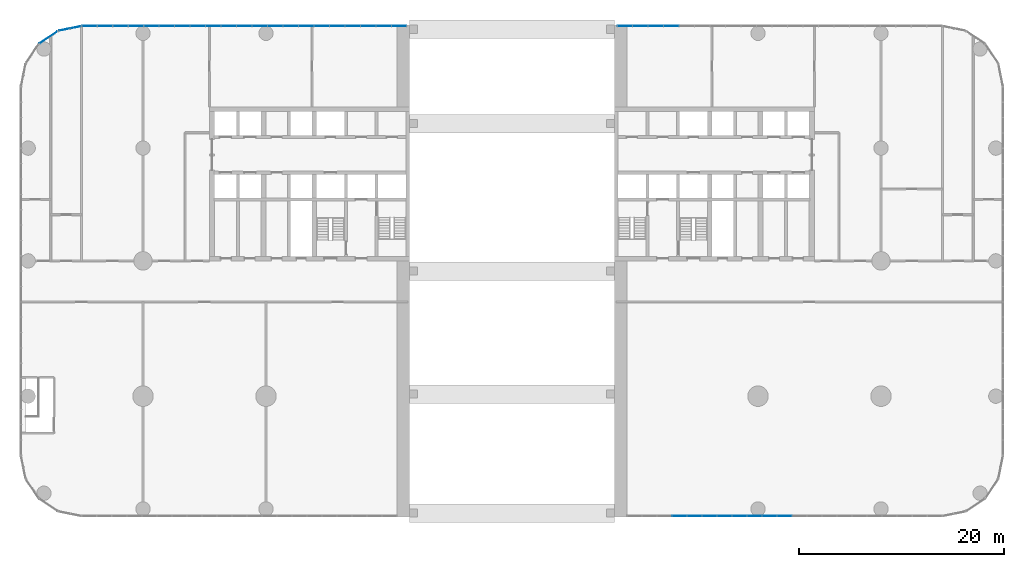
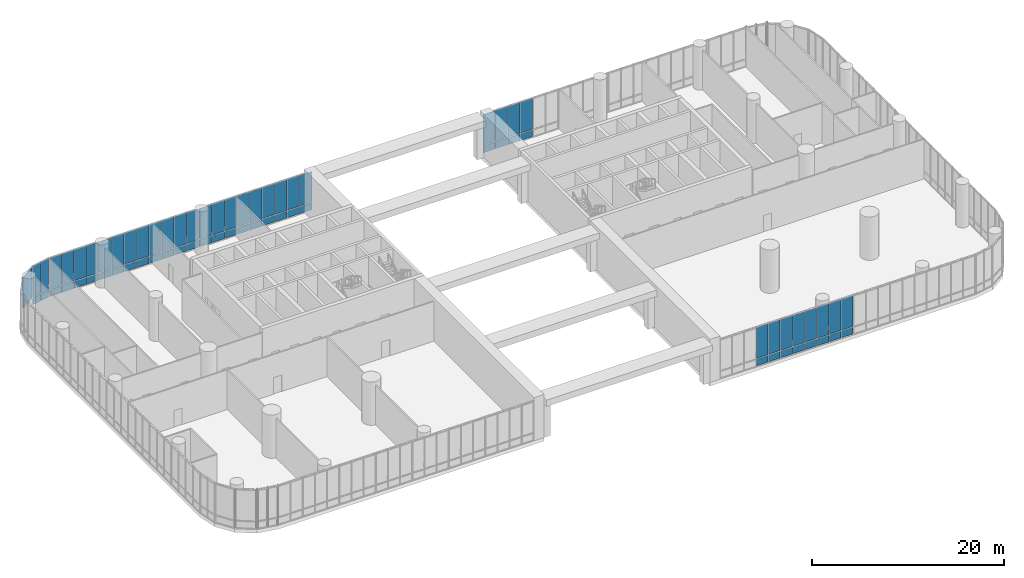
# One storey, part 21 of 30: 71 plates, 5 elements without a shape of their own.
"""IFC4 building model written with IfcOpenShell, lengths in metres."""

import ifcopenshell
import ifcopenshell.guid

model = None  # the IFC model being written
_history = None  # IfcOwnerHistory: only IFC2X3 demands one
_inside = {}  # id of a spatial element -> (the spatial element, [elements in it])
_under = {}  # id of a project, library or spatial element -> (it, [spatial elements below it])
_declared = {}  # id of a project -> (the project, [libraries it declares])
_typed = {}  # id of a type object -> (the type object, [elements of that type])
_made_of = {}  # id of a material, layer set ... -> (it, [elements and type objects made of it])


def new_model(schema):
    """Start an empty IFC model of exactly this schema.

    Asked for "IFC4X3", IfcOpenShell would pick the latest addendum, in which some entities
    have other attributes; the version numbers below select the first issue.
    IFC2X3 requires an IfcOwnerHistory on every rooted entity: one is made here for all.
    """
    global model, _history
    if schema == "IFC4X3":
        model = ifcopenshell.file(schema_version=(4, 3, 0, 0))
    else:
        model = ifcopenshell.file(schema=schema)
    _inside.clear()
    _under.clear()
    _declared.clear()
    _typed.clear()
    _made_of.clear()
    _history = None
    if model.schema == "IFC2X3":
        org = make("IfcOrganization", Name="unknown")
        user = make(
            "IfcPersonAndOrganization",
            ThePerson=make("IfcPerson", FamilyName="unknown"),
            TheOrganization=org,
        )
        app = make(
            "IfcApplication",
            ApplicationDeveloper=org,
            Version="unknown",
            ApplicationFullName="unknown",
            ApplicationIdentifier="unknown",
        )
        _history = make(
            "IfcOwnerHistory",
            OwningUser=user,
            OwningApplication=app,
            ChangeAction="ADDED",
            CreationDate=0,
        )
    return model


def make(cls, **values):
    """One entity of the class cls with the attributes given. An attribute that is None is left unset."""
    return model.create_entity(
        cls, **{name: value for name, value in values.items() if value is not None}
    )


def rooted(cls, **values):
    """An entity with a GlobalId (a new one), such as an element, a storey or a relation."""
    return make(cls, GlobalId=ifcopenshell.guid.new(), OwnerHistory=_history, **values)


def si_unit(unit_type, name, prefix=None):
    """IfcSIUnit, for example si_unit("LENGTHUNIT", "METRE", prefix="MILLI")."""
    return make("IfcSIUnit", UnitType=unit_type, Prefix=prefix, Name=name)


def assignment(units):
    """IfcUnitAssignment: the units of a project."""
    return None if units is None else make("IfcUnitAssignment", Units=units)


def point(xyz):
    """IfcCartesianPoint."""
    return None if xyz is None else make("IfcCartesianPoint", Coordinates=xyz)


def direction(xyz):
    """IfcDirection."""
    return None if xyz is None else make("IfcDirection", DirectionRatios=xyz)


def frame(location, z_axis=None, x_axis=None):
    """IfcAxis2Placement3D, a coordinate frame: its origin and axes. An axis left out is left unset."""
    return make(
        "IfcAxis2Placement3D",
        Location=point(location),
        Axis=direction(z_axis),
        RefDirection=direction(x_axis),
    )


def frame_2d(location, x_axis=None):
    """IfcAxis2Placement2D, a coordinate frame in the plane: its origin and x axis."""
    return make(
        "IfcAxis2Placement2D", Location=point(location), RefDirection=direction(x_axis)
    )


def origin():
    """The frame at (0, 0, 0) with its axes left unset."""
    return frame((0.0, 0.0, 0.0))


def origin_2d():
    """The frame at (0, 0) in the plane with its x axis left unset."""
    return frame_2d((0.0, 0.0))


def place(relative_to, where):
    """IfcLocalPlacement: puts the frame where relative to a parent placement (None: the world)."""
    return make(
        "IfcLocalPlacement", PlacementRelTo=relative_to, RelativePlacement=where
    )


def context(
    kind, dimensions, precision=None, world=None, true_north=None, identifier=None
):
    """IfcGeometricRepresentationContext, for example the 3D "Model" context."""
    return make(
        "IfcGeometricRepresentationContext",
        ContextIdentifier=identifier,
        ContextType=kind,
        CoordinateSpaceDimension=dimensions,
        Precision=precision,
        WorldCoordinateSystem=world,
        TrueNorth=true_north,
    )


def subcontext(parent, identifier, kind, view, scale=None):
    """IfcGeometricRepresentationSubContext, for example "Body" below "Model"."""
    return make(
        "IfcGeometricRepresentationSubContext",
        ContextIdentifier=identifier,
        ContextType=kind,
        ParentContext=parent,
        TargetScale=scale,
        TargetView=view,
    )


def project(units=None, contexts=None):
    """IfcProject with its units and contexts."""
    return rooted(
        "IfcProject",
        Name="project",
        RepresentationContexts=contexts,
        UnitsInContext=assignment(units),
    )


def spatial(cls, under=None, at=None, **own):
    """A site, building, storey or space (cls), placed at a placement, below another one or the project."""
    s = rooted(cls, ObjectPlacement=at, **own)
    if under is not None:
        _under.setdefault(under.id(), (under, []))[1].append(s)
    return s


def profile(cls, at=None, kind="AREA", **sizes):
    """A parametric profile (cls). Its sizes go by their IFC names, for example OverallWidth=200.0."""
    return make(cls, ProfileType=kind, Position=at, **sizes)


def rectangle(**sizes):
    """IfcRectangleProfileDef."""
    return profile("IfcRectangleProfileDef", **sizes)


def extrude(swept, where, along, depth):
    """IfcExtrudedAreaSolid: the profile swept, set in the frame where, extruded along a direction by depth."""
    return make(
        "IfcExtrudedAreaSolid",
        SweptArea=swept,
        Position=where,
        ExtrudedDirection=direction(along),
        Depth=depth,
    )


def shape(context_of_items, identifier, shape_type, items):
    """IfcShapeRepresentation: the items that make up one representation, for example the "Body"."""
    return make(
        "IfcShapeRepresentation",
        ContextOfItems=context_of_items,
        RepresentationIdentifier=identifier,
        RepresentationType=shape_type,
        Items=items,
    )


def material(Name=None, Category=None):
    """IfcMaterial."""
    return make("IfcMaterial", Name=Name, Category=Category)


def layer(
    of_material, thickness, ventilated=None, Name=None, Category=None, Priority=None
):
    """IfcMaterialLayer: one layer of a wall or slab, of a material (None: an air gap)."""
    return make(
        "IfcMaterialLayer",
        Material=of_material,
        LayerThickness=thickness,
        IsVentilated=ventilated,
        Name=Name,
        Category=Category,
        Priority=Priority,
    )


def layer_set(layers, Name=None):
    """IfcMaterialLayerSet."""
    return make("IfcMaterialLayerSet", MaterialLayers=layers, LayerSetName=Name)


def made_of(thing, what):
    """Note that an element or type object is made of a material, layer set ...; save() writes the relation."""
    if what is not None:
        _made_of.setdefault(what.id(), (what, []))[1].append(thing)
    return thing


def type_object(cls, material=None, **own):
    """A type object (cls), such as IfcWallType, which elements share."""
    return made_of(rooted(cls, **own), material)


def element(
    cls,
    number,
    at=None,
    inside=None,
    cuts=None,
    type_object=None,
    material=None,
    context=None,
    identifier="Body",
    shape_type=None,
    held_by="IfcProductDefinitionShape",
    body=None,
    shapes=None,
    **own,
):
    """One element of the class cls, such as IfcWall. Its Tag is "e" and its number.

    at: its placement. inside: the storey or other place that contains it. cuts: it is an
    opening in that element (IfcRelVoidsElement). A single representation is given by context,
    identifier, shape_type and body (its items); several are given by shapes. held_by: the class
    of the entity that holds the representations. save() writes the other relations.
    """
    e = rooted(cls, Tag="e%d" % number, ObjectPlacement=at, **own)
    if body is not None:
        shapes = [shape(context, identifier, shape_type, body)]
    if shapes is not None:
        e.Representation = make(held_by, Representations=shapes)
    if inside is not None:
        _inside.setdefault(inside.id(), (inside, []))[1].append(e)
    if cuts is not None:
        rooted(
            "IfcRelVoidsElement", RelatingBuildingElement=cuts, RelatedOpeningElement=e
        )
    if type_object is not None:
        _typed.setdefault(type_object.id(), (type_object, []))[1].append(e)
    return made_of(e, material)


def aggregate(whole, parts):
    """IfcRelAggregates: a whole, such as a stair, and the parts it consists of."""
    return rooted("IfcRelAggregates", RelatingObject=whole, RelatedObjects=parts)


def save(model, path):
    """Write the relations noted so far, then the file.

    IfcRelAggregates (storeys below a building ...), IfcRelContainedInSpatialStructure (elements
    in a storey), IfcRelDefinesByType, IfcRelAssociatesMaterial and IfcRelDeclares: one each for
    every whole, place, type object, material and project.
    """
    for whole, parts in _under.values():
        aggregate(whole, parts)
    for where, things in _inside.values():
        rooted(
            "IfcRelContainedInSpatialStructure",
            RelatedElements=things,
            RelatingStructure=where,
        )
    for kind, things in _typed.values():
        rooted("IfcRelDefinesByType", RelatedObjects=things, RelatingType=kind)
    for what, things in _made_of.values():
        rooted("IfcRelAssociatesMaterial", RelatedObjects=things, RelatingMaterial=what)
    for by, libraries in _declared.values():
        rooted("IfcRelDeclares", RelatingContext=by, RelatedDefinitions=libraries)
    model.write(path)


model = new_model("IFC4")

# Units and contexts
model_context = context("Model", 3, precision=1e-05, world=origin(), true_north=direction((0.0, 1.0)))
body_context = subcontext(model_context, "Body", "Model", "MODEL_VIEW")
ifc_project = project(units=[si_unit("LENGTHUNIT", "METRE"), si_unit("AREAUNIT", "SQUARE_METRE"), si_unit("VOLUMEUNIT", "CUBIC_METRE"), si_unit("PLANEANGLEUNIT", "RADIAN"), si_unit("MASSUNIT", "GRAM", prefix="KILO")], contexts=[model_context])

# Site, building, storey
site_placement = place(None, origin())
site = spatial("IfcSite", under=ifc_project, at=site_placement, CompositionType="ELEMENT")
building_placement = place(site_placement, origin())
building = spatial("IfcBuilding", under=site, at=building_placement, Name="Torana Hotel and Residences", CompositionType="ELEMENT")
storey_placement = place(building_placement, frame((0.0, 0.0, 12.5)))
storey = spatial("IfcBuildingStorey", under=building, at=storey_placement, Name="L02", CompositionType="ELEMENT", Elevation=12.5)

# Curtain wall, plates
ifc_material_1 = material(Name="Dark anodised aluminium", Category="aluminium")
ifc_layer_1 = layer(ifc_material_1, 0.14990234375)
ifc_layer_set_1 = layer_set([ifc_layer_1], Name="CW5 PODIUM UPPER UNITISED CURTAIN WALL")
curtain_wall_type = type_object("IfcCurtainWallType", Name="CW5 PODIUM UPPER UNITISED CURTAIN WALL", PredefinedType="NOTDEFINED", material=ifc_layer_set_1)
curtain_wall_1_placement = place(storey_placement, origin())
curtain_wall_1 = element("IfcCurtainWall", 1, at=curtain_wall_1_placement, inside=storey, type_object=curtain_wall_type, Name="Curtain wall CW5 L02 e0.2", PredefinedType="NOTDEFINED")
ifc_material_2 = material(Name="Glass clear low-iron laminated double glazed unit", Category="glass")
ifc_layer_2 = layer(ifc_material_2, 0.035888671875)
ifc_layer_set_2 = layer_set([ifc_layer_2], Name="CW5 DARK GLASS PANEL 36")
plate_type = type_object("IfcPlateType", Name="CW5 DARK GLASS PANEL 36", PredefinedType="CURTAIN_PANEL", material=ifc_layer_set_2)
plate_1_placement = place(storey_placement, frame((-11.020263671875, 7.89990234375, 0.099853515625), z_axis=(0.0, 0.0, 1.0), x_axis=(-1.0, 0.0, 0.0)))
plate_1 = element("IfcPlate", 2, at=plate_1_placement, type_object=plate_type, Name="CW5 panel 1.1", PredefinedType="CURTAIN_PANEL", context=body_context, shape_type="SweptSolid", body=[
    extrude(rectangle(XDim=1.420654296875, YDim=0.035888671875, at=origin_2d()), origin(), (0.0, 0.0, 1.0), 0.85009765625),
])
plate_2_placement = place(storey_placement, frame((-11.020263671875, 7.89990234375, 1.050048828125), z_axis=(0.0, 0.0, 1.0), x_axis=(-1.0, 0.0, 0.0)))
plate_2 = element("IfcPlate", 3, at=plate_2_placement, type_object=plate_type, Name="CW5 panel 1.2", PredefinedType="CURTAIN_PANEL", context=body_context, shape_type="SweptSolid", body=[
    extrude(rectangle(XDim=1.420654296875, YDim=0.035888671875, at=origin_2d()), origin(), (0.0, 0.0, 1.0), 3.89990234375),
])
plate_3_placement = place(storey_placement, frame((-12.51611328125, 7.89990234375, 0.099853515625), z_axis=(0.0, 0.0, 1.0), x_axis=(-1.0, 0.0, 0.0)))
plate_3 = element("IfcPlate", 4, at=plate_3_placement, type_object=plate_type, Name="CW5 panel 2.1", PredefinedType="CURTAIN_PANEL", context=body_context, shape_type="SweptSolid", body=[
    extrude(rectangle(XDim=1.45068359375, YDim=0.035888671875, at=origin_2d()), origin(), (0.0, 0.0, 1.0), 0.85009765625),
])
plate_4_placement = place(storey_placement, frame((-12.51611328125, 7.89990234375, 1.050048828125), z_axis=(0.0, 0.0, 1.0), x_axis=(-1.0, 0.0, 0.0)))
plate_4 = element("IfcPlate", 5, at=plate_4_placement, type_object=plate_type, Name="CW5 panel 2.2", PredefinedType="CURTAIN_PANEL", context=body_context, shape_type="SweptSolid", body=[
    extrude(rectangle(XDim=1.45068359375, YDim=0.035888671875, at=origin_2d()), origin(), (0.0, 0.0, 1.0), 3.89990234375),
])
plate_5_placement = place(storey_placement, frame((-14.02685546875, 7.89990234375, 0.099853515625), z_axis=(0.0, 0.0, 1.0), x_axis=(-1.0, 0.0, 0.0)))
plate_5 = element("IfcPlate", 6, at=plate_5_placement, type_object=plate_type, Name="CW5 panel 3.1", PredefinedType="CURTAIN_PANEL", context=body_context, shape_type="SweptSolid", body=[
    extrude(rectangle(XDim=1.45068359375, YDim=0.035888671875, at=origin_2d()), origin(), (0.0, 0.0, 1.0), 0.85009765625),
])
plate_6_placement = place(storey_placement, frame((-14.02685546875, 7.89990234375, 1.050048828125), z_axis=(0.0, 0.0, 1.0), x_axis=(-1.0, 0.0, 0.0)))
plate_6 = element("IfcPlate", 7, at=plate_6_placement, type_object=plate_type, Name="CW5 panel 3.2", PredefinedType="CURTAIN_PANEL", context=body_context, shape_type="SweptSolid", body=[
    extrude(rectangle(XDim=1.45068359375, YDim=0.035888671875, at=origin_2d()), origin(), (0.0, 0.0, 1.0), 3.89990234375),
])
plate_7_placement = place(storey_placement, frame((-15.53759765625, 7.89990234375, 0.099853515625), z_axis=(0.0, 0.0, 1.0), x_axis=(-1.0, 0.0, 0.0)))
plate_7 = element("IfcPlate", 8, at=plate_7_placement, type_object=plate_type, Name="CW5 panel 4.1", PredefinedType="CURTAIN_PANEL", context=body_context, shape_type="SweptSolid", body=[
    extrude(rectangle(XDim=1.45068359375, YDim=0.035888671875, at=origin_2d()), origin(), (0.0, 0.0, 1.0), 0.85009765625),
])
plate_8_placement = place(storey_placement, frame((-15.53759765625, 7.89990234375, 1.050048828125), z_axis=(0.0, 0.0, 1.0), x_axis=(-1.0, 0.0, 0.0)))
plate_8 = element("IfcPlate", 9, at=plate_8_placement, type_object=plate_type, Name="CW5 panel 4.2", PredefinedType="CURTAIN_PANEL", context=body_context, shape_type="SweptSolid", body=[
    extrude(rectangle(XDim=1.45068359375, YDim=0.035888671875, at=origin_2d()), origin(), (0.0, 0.0, 1.0), 3.89990234375),
])
plate_9_placement = place(storey_placement, frame((-17.04833984375, 7.89990234375, 0.099853515625), z_axis=(0.0, 0.0, 1.0), x_axis=(-1.0, 0.0, 0.0)))
plate_9 = element("IfcPlate", 10, at=plate_9_placement, type_object=plate_type, Name="CW5 panel 5.1", PredefinedType="CURTAIN_PANEL", context=body_context, shape_type="SweptSolid", body=[
    extrude(rectangle(XDim=1.45068359375, YDim=0.035888671875, at=origin_2d()), origin(), (0.0, 0.0, 1.0), 0.85009765625),
])
plate_10_placement = place(storey_placement, frame((-17.04833984375, 7.89990234375, 1.050048828125), z_axis=(0.0, 0.0, 1.0), x_axis=(-1.0, 0.0, 0.0)))
plate_10 = element("IfcPlate", 11, at=plate_10_placement, type_object=plate_type, Name="CW5 panel 5.2", PredefinedType="CURTAIN_PANEL", context=body_context, shape_type="SweptSolid", body=[
    extrude(rectangle(XDim=1.45068359375, YDim=0.035888671875, at=origin_2d()), origin(), (0.0, 0.0, 1.0), 3.89990234375),
])
plate_11_placement = place(storey_placement, frame((-18.55908203125, 7.89990234375, 0.099853515625), z_axis=(0.0, 0.0, 1.0), x_axis=(-1.0, 0.0, 0.0)))
plate_11 = element("IfcPlate", 12, at=plate_11_placement, type_object=plate_type, Name="CW5 panel 6.1", PredefinedType="CURTAIN_PANEL", context=body_context, shape_type="SweptSolid", body=[
    extrude(rectangle(XDim=1.45068359375, YDim=0.035888671875, at=origin_2d()), origin(), (0.0, 0.0, 1.0), 0.85009765625),
])
plate_12_placement = place(storey_placement, frame((-18.55908203125, 7.89990234375, 1.050048828125), z_axis=(0.0, 0.0, 1.0), x_axis=(-1.0, 0.0, 0.0)))
plate_12 = element("IfcPlate", 13, at=plate_12_placement, type_object=plate_type, Name="CW5 panel 6.2", PredefinedType="CURTAIN_PANEL", context=body_context, shape_type="SweptSolid", body=[
    extrude(rectangle(XDim=1.45068359375, YDim=0.035888671875, at=origin_2d()), origin(), (0.0, 0.0, 1.0), 3.89990234375),
])
plate_13_placement = place(storey_placement, frame((-20.06982421875, 7.89990234375, 0.099853515625), z_axis=(0.0, 0.0, 1.0), x_axis=(-1.0, 0.0, 0.0)))
plate_13 = element("IfcPlate", 14, at=plate_13_placement, type_object=plate_type, Name="CW5 panel 7.1", PredefinedType="CURTAIN_PANEL", context=body_context, shape_type="SweptSolid", body=[
    extrude(rectangle(XDim=1.45068359375, YDim=0.035888671875, at=origin_2d()), origin(), (0.0, 0.0, 1.0), 0.85009765625),
])
plate_14_placement = place(storey_placement, frame((-20.06982421875, 7.89990234375, 1.050048828125), z_axis=(0.0, 0.0, 1.0), x_axis=(-1.0, 0.0, 0.0)))
plate_14 = element("IfcPlate", 15, at=plate_14_placement, type_object=plate_type, Name="CW5 panel 7.2", PredefinedType="CURTAIN_PANEL", context=body_context, shape_type="SweptSolid", body=[
    extrude(rectangle(XDim=1.45068359375, YDim=0.035888671875, at=origin_2d()), origin(), (0.0, 0.0, 1.0), 3.89990234375),
])
plate_15_placement = place(storey_placement, frame((-21.58056640625, 7.89990234375, 0.099853515625), z_axis=(0.0, 0.0, 1.0), x_axis=(-1.0, 0.0, 0.0)))
plate_15 = element("IfcPlate", 16, at=plate_15_placement, type_object=plate_type, Name="CW5 panel 8.1", PredefinedType="CURTAIN_PANEL", context=body_context, shape_type="SweptSolid", body=[
    extrude(rectangle(XDim=1.45068359375, YDim=0.035888671875, at=origin_2d()), origin(), (0.0, 0.0, 1.0), 0.85009765625),
])
plate_16_placement = place(storey_placement, frame((-21.58056640625, 7.89990234375, 1.050048828125), z_axis=(0.0, 0.0, 1.0), x_axis=(-1.0, 0.0, 0.0)))
plate_16 = element("IfcPlate", 17, at=plate_16_placement, type_object=plate_type, Name="CW5 panel 8.2", PredefinedType="CURTAIN_PANEL", context=body_context, shape_type="SweptSolid", body=[
    extrude(rectangle(XDim=1.45068359375, YDim=0.035888671875, at=origin_2d()), origin(), (0.0, 0.0, 1.0), 3.89990234375),
])
plate_17_placement = place(storey_placement, frame((-23.09130859375, 7.89990234375, 0.099853515625), z_axis=(0.0, 0.0, 1.0), x_axis=(-1.0, 0.0, 0.0)))
plate_17 = element("IfcPlate", 18, at=plate_17_placement, type_object=plate_type, Name="CW5 panel 9.1", PredefinedType="CURTAIN_PANEL", context=body_context, shape_type="SweptSolid", body=[
    extrude(rectangle(XDim=1.45068359375, YDim=0.035888671875, at=origin_2d()), origin(), (0.0, 0.0, 1.0), 0.85009765625),
])
plate_18_placement = place(storey_placement, frame((-23.09130859375, 7.89990234375, 1.050048828125), z_axis=(0.0, 0.0, 1.0), x_axis=(-1.0, 0.0, 0.0)))
plate_18 = element("IfcPlate", 19, at=plate_18_placement, type_object=plate_type, Name="CW5 panel 9.2", PredefinedType="CURTAIN_PANEL", context=body_context, shape_type="SweptSolid", body=[
    extrude(rectangle(XDim=1.45068359375, YDim=0.035888671875, at=origin_2d()), origin(), (0.0, 0.0, 1.0), 3.89990234375),
])
plate_19_placement = place(storey_placement, frame((-24.60205078125, 7.89990234375, 0.099853515625), z_axis=(0.0, 0.0, 1.0), x_axis=(-1.0, 0.0, 0.0)))
plate_19 = element("IfcPlate", 20, at=plate_19_placement, type_object=plate_type, Name="CW5 panel 10.1", PredefinedType="CURTAIN_PANEL", context=body_context, shape_type="SweptSolid", body=[
    extrude(rectangle(XDim=1.45068359375, YDim=0.035888671875, at=origin_2d()), origin(), (0.0, 0.0, 1.0), 0.85009765625),
])
plate_20_placement = place(storey_placement, frame((-24.60205078125, 7.89990234375, 1.050048828125), z_axis=(0.0, 0.0, 1.0), x_axis=(-1.0, 0.0, 0.0)))
plate_20 = element("IfcPlate", 21, at=plate_20_placement, type_object=plate_type, Name="CW5 panel 10.2", PredefinedType="CURTAIN_PANEL", context=body_context, shape_type="SweptSolid", body=[
    extrude(rectangle(XDim=1.45068359375, YDim=0.035888671875, at=origin_2d()), origin(), (0.0, 0.0, 1.0), 3.89990234375),
])
plate_21_placement = place(storey_placement, frame((-26.11279296875, 7.89990234375, 0.099853515625), z_axis=(0.0, 0.0, 1.0), x_axis=(-1.0, 0.0, 0.0)))
plate_21 = element("IfcPlate", 22, at=plate_21_placement, type_object=plate_type, Name="CW5 panel 11.1", PredefinedType="CURTAIN_PANEL", context=body_context, shape_type="SweptSolid", body=[
    extrude(rectangle(XDim=1.45068359375, YDim=0.035888671875, at=origin_2d()), origin(), (0.0, 0.0, 1.0), 0.85009765625),
])
plate_22_placement = place(storey_placement, frame((-26.11279296875, 7.89990234375, 1.050048828125), z_axis=(0.0, 0.0, 1.0), x_axis=(-1.0, 0.0, 0.0)))
plate_22 = element("IfcPlate", 23, at=plate_22_placement, type_object=plate_type, Name="CW5 panel 11.2", PredefinedType="CURTAIN_PANEL", context=body_context, shape_type="SweptSolid", body=[
    extrude(rectangle(XDim=1.45068359375, YDim=0.035888671875, at=origin_2d()), origin(), (0.0, 0.0, 1.0), 3.89990234375),
])
plate_23_placement = place(storey_placement, frame((-27.62353515625, 7.89990234375, 0.099853515625), z_axis=(0.0, 0.0, 1.0), x_axis=(-1.0, 0.0, 0.0)))
plate_23 = element("IfcPlate", 24, at=plate_23_placement, type_object=plate_type, Name="CW5 panel 12.1", PredefinedType="CURTAIN_PANEL", context=body_context, shape_type="SweptSolid", body=[
    extrude(rectangle(XDim=1.45068359375, YDim=0.035888671875, at=origin_2d()), origin(), (0.0, 0.0, 1.0), 0.85009765625),
])
plate_24_placement = place(storey_placement, frame((-27.62353515625, 7.89990234375, 1.050048828125), z_axis=(0.0, 0.0, 1.0), x_axis=(-1.0, 0.0, 0.0)))
plate_24 = element("IfcPlate", 25, at=plate_24_placement, type_object=plate_type, Name="CW5 panel 12.2", PredefinedType="CURTAIN_PANEL", context=body_context, shape_type="SweptSolid", body=[
    extrude(rectangle(XDim=1.45068359375, YDim=0.035888671875, at=origin_2d()), origin(), (0.0, 0.0, 1.0), 3.89990234375),
])
plate_25_placement = place(storey_placement, frame((-29.13427734375, 7.89990234375, 0.099853515625), z_axis=(0.0, 0.0, 1.0), x_axis=(-1.0, 0.0, 0.0)))
plate_25 = element("IfcPlate", 26, at=plate_25_placement, type_object=plate_type, Name="CW5 panel 13.1", PredefinedType="CURTAIN_PANEL", context=body_context, shape_type="SweptSolid", body=[
    extrude(rectangle(XDim=1.45068359375, YDim=0.035888671875, at=origin_2d()), origin(), (0.0, 0.0, 1.0), 0.85009765625),
])
plate_26_placement = place(storey_placement, frame((-29.13427734375, 7.89990234375, 1.050048828125), z_axis=(0.0, 0.0, 1.0), x_axis=(-1.0, 0.0, 0.0)))
plate_26 = element("IfcPlate", 27, at=plate_26_placement, type_object=plate_type, Name="CW5 panel 13.2", PredefinedType="CURTAIN_PANEL", context=body_context, shape_type="SweptSolid", body=[
    extrude(rectangle(XDim=1.45068359375, YDim=0.035888671875, at=origin_2d()), origin(), (0.0, 0.0, 1.0), 3.89990234375),
])
plate_27_placement = place(storey_placement, frame((-30.64501953125, 7.89990234375, 0.099853515625), z_axis=(0.0, 0.0, 1.0), x_axis=(-1.0, 0.0, 0.0)))
plate_27 = element("IfcPlate", 28, at=plate_27_placement, type_object=plate_type, Name="CW5 panel 14.1", PredefinedType="CURTAIN_PANEL", context=body_context, shape_type="SweptSolid", body=[
    extrude(rectangle(XDim=1.45068359375, YDim=0.035888671875, at=origin_2d()), origin(), (0.0, 0.0, 1.0), 0.85009765625),
])
plate_28_placement = place(storey_placement, frame((-30.64501953125, 7.89990234375, 1.050048828125), z_axis=(0.0, 0.0, 1.0), x_axis=(-1.0, 0.0, 0.0)))
plate_28 = element("IfcPlate", 29, at=plate_28_placement, type_object=plate_type, Name="CW5 panel 14.2", PredefinedType="CURTAIN_PANEL", context=body_context, shape_type="SweptSolid", body=[
    extrude(rectangle(XDim=1.45068359375, YDim=0.035888671875, at=origin_2d()), origin(), (0.0, 0.0, 1.0), 3.89990234375),
])
plate_29_placement = place(storey_placement, frame((-32.155517578125, 7.89990234375, 0.099853515625), z_axis=(0.0, 0.0, 1.0), x_axis=(-1.0, 0.0, 0.0)))
plate_29 = element("IfcPlate", 30, at=plate_29_placement, type_object=plate_type, Name="CW5 panel 15.1", PredefinedType="CURTAIN_PANEL", context=body_context, shape_type="SweptSolid", body=[
    extrude(rectangle(XDim=1.45068359375, YDim=0.035888671875, at=origin_2d()), origin(), (0.0, 0.0, 1.0), 0.85009765625),
])
plate_30_placement = place(storey_placement, frame((-32.155517578125, 7.89990234375, 1.050048828125), z_axis=(0.0, 0.0, 1.0), x_axis=(-1.0, 0.0, 0.0)))
plate_30 = element("IfcPlate", 31, at=plate_30_placement, type_object=plate_type, Name="CW5 panel 15.2", PredefinedType="CURTAIN_PANEL", context=body_context, shape_type="SweptSolid", body=[
    extrude(rectangle(XDim=1.45068359375, YDim=0.035888671875, at=origin_2d()), origin(), (0.0, 0.0, 1.0), 3.89990234375),
])
plate_31_placement = place(storey_placement, frame((-33.666259765625, 7.89990234375, 0.099853515625), z_axis=(0.0, 0.0, 1.0), x_axis=(-1.0, 0.0, 0.0)))
plate_31 = element("IfcPlate", 32, at=plate_31_placement, type_object=plate_type, Name="CW5 panel 16.1", PredefinedType="CURTAIN_PANEL", context=body_context, shape_type="SweptSolid", body=[
    extrude(rectangle(XDim=1.45068359375, YDim=0.035888671875, at=origin_2d()), origin(), (0.0, 0.0, 1.0), 0.85009765625),
])
plate_32_placement = place(storey_placement, frame((-33.666259765625, 7.89990234375, 1.050048828125), z_axis=(0.0, 0.0, 1.0), x_axis=(-1.0, 0.0, 0.0)))
plate_32 = element("IfcPlate", 33, at=plate_32_placement, type_object=plate_type, Name="CW5 panel 16.2", PredefinedType="CURTAIN_PANEL", context=body_context, shape_type="SweptSolid", body=[
    extrude(rectangle(XDim=1.45068359375, YDim=0.035888671875, at=origin_2d()), origin(), (0.0, 0.0, 1.0), 3.89990234375),
])
plate_33_placement = place(storey_placement, frame((-35.177001953125, 7.89990234375, 0.099853515625), z_axis=(0.0, 0.0, 1.0), x_axis=(-1.0, 0.0, 0.0)))
plate_33 = element("IfcPlate", 34, at=plate_33_placement, type_object=plate_type, Name="CW5 panel 17.1", PredefinedType="CURTAIN_PANEL", context=body_context, shape_type="SweptSolid", body=[
    extrude(rectangle(XDim=1.45068359375, YDim=0.035888671875, at=origin_2d()), origin(), (0.0, 0.0, 1.0), 0.85009765625),
])
plate_34_placement = place(storey_placement, frame((-35.177001953125, 7.89990234375, 1.050048828125), z_axis=(0.0, 0.0, 1.0), x_axis=(-1.0, 0.0, 0.0)))
plate_34 = element("IfcPlate", 35, at=plate_34_placement, type_object=plate_type, Name="CW5 panel 17.2", PredefinedType="CURTAIN_PANEL", context=body_context, shape_type="SweptSolid", body=[
    extrude(rectangle(XDim=1.45068359375, YDim=0.035888671875, at=origin_2d()), origin(), (0.0, 0.0, 1.0), 3.89990234375),
])
plate_35_placement = place(storey_placement, frame((-36.687744140625, 7.89990234375, 0.099853515625), z_axis=(0.0, 0.0, 1.0), x_axis=(-1.0, 0.0, 0.0)))
plate_35 = element("IfcPlate", 36, at=plate_35_placement, type_object=plate_type, Name="CW5 panel 18.1", PredefinedType="CURTAIN_PANEL", context=body_context, shape_type="SweptSolid", body=[
    extrude(rectangle(XDim=1.45068359375, YDim=0.035888671875, at=origin_2d()), origin(), (0.0, 0.0, 1.0), 0.85009765625),
])
plate_36_placement = place(storey_placement, frame((-36.687744140625, 7.89990234375, 1.050048828125), z_axis=(0.0, 0.0, 1.0), x_axis=(-1.0, 0.0, 0.0)))
plate_36 = element("IfcPlate", 37, at=plate_36_placement, type_object=plate_type, Name="CW5 panel 18.2", PredefinedType="CURTAIN_PANEL", context=body_context, shape_type="SweptSolid", body=[
    extrude(rectangle(XDim=1.45068359375, YDim=0.035888671875, at=origin_2d()), origin(), (0.0, 0.0, 1.0), 3.89990234375),
])
plate_37_placement = place(storey_placement, frame((-38.198486328125, 7.89990234375, 0.099853515625), z_axis=(0.0, 0.0, 1.0), x_axis=(-1.0, 0.0, 0.0)))
plate_37 = element("IfcPlate", 38, at=plate_37_placement, type_object=plate_type, Name="CW5 panel 19.1", PredefinedType="CURTAIN_PANEL", context=body_context, shape_type="SweptSolid", body=[
    extrude(rectangle(XDim=1.45068359375, YDim=0.035888671875, at=origin_2d()), origin(), (0.0, 0.0, 1.0), 0.85009765625),
])
plate_38_placement = place(storey_placement, frame((-38.198486328125, 7.89990234375, 1.050048828125), z_axis=(0.0, 0.0, 1.0), x_axis=(-1.0, 0.0, 0.0)))
plate_38 = element("IfcPlate", 39, at=plate_38_placement, type_object=plate_type, Name="CW5 panel 19.2", PredefinedType="CURTAIN_PANEL", context=body_context, shape_type="SweptSolid", body=[
    extrude(rectangle(XDim=1.45068359375, YDim=0.035888671875, at=origin_2d()), origin(), (0.0, 0.0, 1.0), 3.89990234375),
])
plate_39_placement = place(storey_placement, frame((-39.709228515625, 7.89990234375, 0.099853515625), z_axis=(0.0, 0.0, 1.0), x_axis=(-1.0, 0.0, 0.0)))
plate_39 = element("IfcPlate", 40, at=plate_39_placement, type_object=plate_type, Name="CW5 panel 20.1", PredefinedType="CURTAIN_PANEL", context=body_context, shape_type="SweptSolid", body=[
    extrude(rectangle(XDim=1.45068359375, YDim=0.035888671875, at=origin_2d()), origin(), (0.0, 0.0, 1.0), 0.85009765625),
])
plate_40_placement = place(storey_placement, frame((-39.709228515625, 7.89990234375, 1.050048828125), z_axis=(0.0, 0.0, 1.0), x_axis=(-1.0, 0.0, 0.0)))
plate_40 = element("IfcPlate", 41, at=plate_40_placement, type_object=plate_type, Name="CW5 panel 20.2", PredefinedType="CURTAIN_PANEL", context=body_context, shape_type="SweptSolid", body=[
    extrude(rectangle(XDim=1.45068359375, YDim=0.035888671875, at=origin_2d()), origin(), (0.0, 0.0, 1.0), 3.89990234375),
])
plate_41_placement = place(storey_placement, frame((-41.205078125, 7.89990234375, 0.099853515625), z_axis=(0.0, 0.0, 1.0), x_axis=(-1.0, 0.0, 0.0)))
plate_41 = element("IfcPlate", 42, at=plate_41_placement, type_object=plate_type, Name="CW5 panel 21.1", PredefinedType="CURTAIN_PANEL", context=body_context, shape_type="SweptSolid", body=[
    extrude(rectangle(XDim=1.420654296875, YDim=0.035888671875, at=origin_2d()), origin(), (0.0, 0.0, 1.0), 0.85009765625),
])
plate_42_placement = place(storey_placement, frame((-41.205078125, 7.89990234375, 1.050048828125), z_axis=(0.0, 0.0, 1.0), x_axis=(-1.0, 0.0, 0.0)))
plate_42 = element("IfcPlate", 43, at=plate_42_placement, type_object=plate_type, Name="CW5 panel 21.2", PredefinedType="CURTAIN_PANEL", context=body_context, shape_type="SweptSolid", body=[
    extrude(rectangle(XDim=1.420654296875, YDim=0.035888671875, at=origin_2d()), origin(), (0.0, 0.0, 1.0), 3.89990234375),
])
aggregate(curtain_wall_1, [plate_1, plate_2, plate_3, plate_4, plate_5, plate_6, plate_7, plate_8, plate_9, plate_10, plate_11, plate_12, plate_13, plate_14, plate_15, plate_16, plate_17, plate_18, plate_19, plate_20, plate_21, plate_22, plate_23, plate_24, plate_25, plate_26, plate_27, plate_28, plate_29, plate_30, plate_31, plate_32, plate_33, plate_34, plate_35, plate_36, plate_37, plate_38, plate_39, plate_40, plate_41, plate_42])

curtain_wall_2_placement = place(storey_placement, origin())
curtain_wall_2 = element("IfcCurtainWall", 44, at=curtain_wall_2_placement, inside=storey, type_object=curtain_wall_type, Name="Curtain wall CW5 L02 e0.3", PredefinedType="NOTDEFINED")
plate_43_placement = place(storey_placement, frame((-42.5751953125, 7.78369140625, 0.099853515625), z_axis=(0.0, 0.0, 1.0), x_axis=(-0.980787135335, -0.195080996415, 0.0)))
plate_43 = element("IfcPlate", 45, at=plate_43_placement, type_object=plate_type, Name="CW5 panel 1.1", PredefinedType="CURTAIN_PANEL", context=body_context, shape_type="SweptSolid", body=[
    extrude(rectangle(XDim=1.04345703125, YDim=0.035888671875, at=origin_2d()), origin(), (0.0, 0.0, 1.0), 0.85009765625),
])
plate_44_placement = place(storey_placement, frame((-42.5751953125, 7.78369140625, 1.050048828125), z_axis=(0.0, 0.0, 1.0), x_axis=(-0.980787135335, -0.195080996415, 0.0)))
plate_44 = element("IfcPlate", 46, at=plate_44_placement, type_object=plate_type, Name="CW5 panel 1.2", PredefinedType="CURTAIN_PANEL", context=body_context, shape_type="SweptSolid", body=[
    extrude(rectangle(XDim=1.04345703125, YDim=0.035888671875, at=origin_2d()), origin(), (0.0, 0.0, 1.0), 3.89990234375),
])
plate_45_placement = place(storey_placement, frame((-43.6572265625, 7.568359375, 0.099853515625), z_axis=(0.0, 0.0, 1.0), x_axis=(-0.980787135335, -0.195080996415, 0.0)))
plate_45 = element("IfcPlate", 47, at=plate_45_placement, type_object=plate_type, Name="CW5 panel 2.1", PredefinedType="CURTAIN_PANEL", context=body_context, shape_type="SweptSolid", body=[
    extrude(rectangle(XDim=1.04345703125, YDim=0.035888671875, at=origin_2d()), origin(), (0.0, 0.0, 1.0), 0.85009765625),
])
plate_46_placement = place(storey_placement, frame((-43.6572265625, 7.568359375, 1.050048828125), z_axis=(0.0, 0.0, 1.0), x_axis=(-0.980787135335, -0.195080996415, 0.0)))
plate_46 = element("IfcPlate", 48, at=plate_46_placement, type_object=plate_type, Name="CW5 panel 2.2", PredefinedType="CURTAIN_PANEL", context=body_context, shape_type="SweptSolid", body=[
    extrude(rectangle(XDim=1.04345703125, YDim=0.035888671875, at=origin_2d()), origin(), (0.0, 0.0, 1.0), 3.89990234375),
])
aggregate(curtain_wall_2, [plate_43, plate_44, plate_45, plate_46])

# Curtain wall, plate
curtain_wall_3_placement = place(storey_placement, origin())
curtain_wall_3 = element("IfcCurtainWall", 49, at=curtain_wall_3_placement, inside=storey, type_object=curtain_wall_type, Name="Curtain wall CW5 L02 e0.4", PredefinedType="NOTDEFINED")
plate_47_placement = place(storey_placement, frame((-45.2138671875, 6.809814453125, 1.050048828125), z_axis=(0.0, 0.0, 1.0), x_axis=(-0.831459585616, -0.555585238723, 0.0)))
plate_47 = element("IfcPlate", 50, at=plate_47_placement, type_object=plate_type, Name="CW5 panel 1.2", PredefinedType="CURTAIN_PANEL", context=body_context, shape_type="SweptSolid", body=[
    extrude(rectangle(XDim=2.12158203125, YDim=0.035888671875, at=origin_2d()), origin(), (0.0, 0.0, 1.0), 3.89990234375),
])
aggregate(curtain_wall_3, [plate_47])

# Curtain wall, plates
curtain_wall_4_placement = place(storey_placement, origin())
curtain_wall_4 = element("IfcCurtainWall", 51, at=curtain_wall_4_placement, inside=storey, type_object=curtain_wall_type, Name="Curtain wall CW5 L02 e1.0", PredefinedType="NOTDEFINED")
plate_48_placement = place(storey_placement, frame((16.329345703125, -39.89990234375, 0.099853515625), z_axis=(0.0, 0.0, 1.0), x_axis=(1.0, 0.0, 0.0)))
plate_48 = element("IfcPlate", 52, at=plate_48_placement, type_object=plate_type, Name="CW5 panel 4.1", PredefinedType="CURTAIN_PANEL", context=body_context, shape_type="SweptSolid", body=[
    extrude(rectangle(XDim=1.405517578125, YDim=0.035888671875, at=origin_2d()), origin(), (0.0, 0.0, 1.0), 0.85009765625),
])
plate_49_placement = place(storey_placement, frame((16.329345703125, -39.89990234375, 1.050048828125), z_axis=(0.0, 0.0, 1.0), x_axis=(1.0, 0.0, 0.0)))
plate_49 = element("IfcPlate", 53, at=plate_49_placement, type_object=plate_type, Name="CW5 panel 4.2", PredefinedType="CURTAIN_PANEL", context=body_context, shape_type="SweptSolid", body=[
    extrude(rectangle(XDim=1.405517578125, YDim=0.035888671875, at=origin_2d()), origin(), (0.0, 0.0, 1.0), 3.89990234375),
])
plate_50_placement = place(storey_placement, frame((17.794677734375, -39.89990234375, 0.099853515625), z_axis=(0.0, 0.0, 1.0), x_axis=(1.0, 0.0, 0.0)))
plate_50 = element("IfcPlate", 54, at=plate_50_placement, type_object=plate_type, Name="CW5 panel 5.1", PredefinedType="CURTAIN_PANEL", context=body_context, shape_type="SweptSolid", body=[
    extrude(rectangle(XDim=1.405517578125, YDim=0.035888671875, at=origin_2d()), origin(), (0.0, 0.0, 1.0), 0.85009765625),
])
plate_51_placement = place(storey_placement, frame((17.794677734375, -39.89990234375, 1.050048828125), z_axis=(0.0, 0.0, 1.0), x_axis=(1.0, 0.0, 0.0)))
plate_51 = element("IfcPlate", 55, at=plate_51_placement, type_object=plate_type, Name="CW5 panel 5.2", PredefinedType="CURTAIN_PANEL", context=body_context, shape_type="SweptSolid", body=[
    extrude(rectangle(XDim=1.405517578125, YDim=0.035888671875, at=origin_2d()), origin(), (0.0, 0.0, 1.0), 3.89990234375),
])
plate_52_placement = place(storey_placement, frame((19.26025390625, -39.89990234375, 0.099853515625), z_axis=(0.0, 0.0, 1.0), x_axis=(1.0, 0.0, 0.0)))
plate_52 = element("IfcPlate", 56, at=plate_52_placement, type_object=plate_type, Name="CW5 panel 6.1", PredefinedType="CURTAIN_PANEL", context=body_context, shape_type="SweptSolid", body=[
    extrude(rectangle(XDim=1.405517578125, YDim=0.035888671875, at=origin_2d()), origin(), (0.0, 0.0, 1.0), 0.85009765625),
])
plate_53_placement = place(storey_placement, frame((19.26025390625, -39.89990234375, 1.050048828125), z_axis=(0.0, 0.0, 1.0), x_axis=(1.0, 0.0, 0.0)))
plate_53 = element("IfcPlate", 57, at=plate_53_placement, type_object=plate_type, Name="CW5 panel 6.2", PredefinedType="CURTAIN_PANEL", context=body_context, shape_type="SweptSolid", body=[
    extrude(rectangle(XDim=1.405517578125, YDim=0.035888671875, at=origin_2d()), origin(), (0.0, 0.0, 1.0), 3.89990234375),
])
plate_54_placement = place(storey_placement, frame((20.725830078125, -39.89990234375, 0.099853515625), z_axis=(0.0, 0.0, 1.0), x_axis=(1.0, 0.0, 0.0)))
plate_54 = element("IfcPlate", 58, at=plate_54_placement, type_object=plate_type, Name="CW5 panel 7.1", PredefinedType="CURTAIN_PANEL", context=body_context, shape_type="SweptSolid", body=[
    extrude(rectangle(XDim=1.405517578125, YDim=0.035888671875, at=origin_2d()), origin(), (0.0, 0.0, 1.0), 0.85009765625),
])
plate_55_placement = place(storey_placement, frame((20.725830078125, -39.89990234375, 1.050048828125), z_axis=(0.0, 0.0, 1.0), x_axis=(1.0, 0.0, 0.0)))
plate_55 = element("IfcPlate", 59, at=plate_55_placement, type_object=plate_type, Name="CW5 panel 7.2", PredefinedType="CURTAIN_PANEL", context=body_context, shape_type="SweptSolid", body=[
    extrude(rectangle(XDim=1.405517578125, YDim=0.035888671875, at=origin_2d()), origin(), (0.0, 0.0, 1.0), 3.89990234375),
])
plate_56_placement = place(storey_placement, frame((22.191162109375, -39.89990234375, 0.099853515625), z_axis=(0.0, 0.0, 1.0), x_axis=(1.0, 0.0, 0.0)))
plate_56 = element("IfcPlate", 60, at=plate_56_placement, type_object=plate_type, Name="CW5 panel 8.1", PredefinedType="CURTAIN_PANEL", context=body_context, shape_type="SweptSolid", body=[
    extrude(rectangle(XDim=1.405517578125, YDim=0.035888671875, at=origin_2d()), origin(), (0.0, 0.0, 1.0), 0.85009765625),
])
plate_57_placement = place(storey_placement, frame((22.191162109375, -39.89990234375, 1.050048828125), z_axis=(0.0, 0.0, 1.0), x_axis=(1.0, 0.0, 0.0)))
plate_57 = element("IfcPlate", 61, at=plate_57_placement, type_object=plate_type, Name="CW5 panel 8.2", PredefinedType="CURTAIN_PANEL", context=body_context, shape_type="SweptSolid", body=[
    extrude(rectangle(XDim=1.405517578125, YDim=0.035888671875, at=origin_2d()), origin(), (0.0, 0.0, 1.0), 3.89990234375),
])
plate_58_placement = place(storey_placement, frame((23.65673828125, -39.89990234375, 0.099853515625), z_axis=(0.0, 0.0, 1.0), x_axis=(1.0, 0.0, 0.0)))
plate_58 = element("IfcPlate", 62, at=plate_58_placement, type_object=plate_type, Name="CW5 panel 9.1", PredefinedType="CURTAIN_PANEL", context=body_context, shape_type="SweptSolid", body=[
    extrude(rectangle(XDim=1.405517578125, YDim=0.035888671875, at=origin_2d()), origin(), (0.0, 0.0, 1.0), 0.85009765625),
])
plate_59_placement = place(storey_placement, frame((23.65673828125, -39.89990234375, 1.050048828125), z_axis=(0.0, 0.0, 1.0), x_axis=(1.0, 0.0, 0.0)))
plate_59 = element("IfcPlate", 63, at=plate_59_placement, type_object=plate_type, Name="CW5 panel 9.2", PredefinedType="CURTAIN_PANEL", context=body_context, shape_type="SweptSolid", body=[
    extrude(rectangle(XDim=1.405517578125, YDim=0.035888671875, at=origin_2d()), origin(), (0.0, 0.0, 1.0), 3.89990234375),
])
plate_60_placement = place(storey_placement, frame((25.122314453125, -39.89990234375, 0.099853515625), z_axis=(0.0, 0.0, 1.0), x_axis=(1.0, 0.0, 0.0)))
plate_60 = element("IfcPlate", 64, at=plate_60_placement, type_object=plate_type, Name="CW5 panel 10.1", PredefinedType="CURTAIN_PANEL", context=body_context, shape_type="SweptSolid", body=[
    extrude(rectangle(XDim=1.405517578125, YDim=0.035888671875, at=origin_2d()), origin(), (0.0, 0.0, 1.0), 0.85009765625),
])
plate_61_placement = place(storey_placement, frame((25.122314453125, -39.89990234375, 1.050048828125), z_axis=(0.0, 0.0, 1.0), x_axis=(1.0, 0.0, 0.0)))
plate_61 = element("IfcPlate", 65, at=plate_61_placement, type_object=plate_type, Name="CW5 panel 10.2", PredefinedType="CURTAIN_PANEL", context=body_context, shape_type="SweptSolid", body=[
    extrude(rectangle(XDim=1.405517578125, YDim=0.035888671875, at=origin_2d()), origin(), (0.0, 0.0, 1.0), 3.89990234375),
])
plate_62_placement = place(storey_placement, frame((26.587646484375, -39.89990234375, 0.099853515625), z_axis=(0.0, 0.0, 1.0), x_axis=(1.0, 0.0, 0.0)))
plate_62 = element("IfcPlate", 66, at=plate_62_placement, type_object=plate_type, Name="CW5 panel 11.1", PredefinedType="CURTAIN_PANEL", context=body_context, shape_type="SweptSolid", body=[
    extrude(rectangle(XDim=1.405517578125, YDim=0.035888671875, at=origin_2d()), origin(), (0.0, 0.0, 1.0), 0.85009765625),
])
plate_63_placement = place(storey_placement, frame((26.587646484375, -39.89990234375, 1.050048828125), z_axis=(0.0, 0.0, 1.0), x_axis=(1.0, 0.0, 0.0)))
plate_63 = element("IfcPlate", 67, at=plate_63_placement, type_object=plate_type, Name="CW5 panel 11.2", PredefinedType="CURTAIN_PANEL", context=body_context, shape_type="SweptSolid", body=[
    extrude(rectangle(XDim=1.405517578125, YDim=0.035888671875, at=origin_2d()), origin(), (0.0, 0.0, 1.0), 3.89990234375),
])
aggregate(curtain_wall_4, [plate_48, plate_49, plate_50, plate_51, plate_52, plate_53, plate_54, plate_55, plate_56, plate_57, plate_58, plate_59, plate_60, plate_61, plate_62, plate_63])

curtain_wall_5_placement = place(storey_placement, origin())
curtain_wall_5 = element("IfcCurtainWall", 68, at=curtain_wall_5_placement, inside=storey, type_object=curtain_wall_type, Name="Curtain wall CW5 L02 e1.10", PredefinedType="NOTDEFINED")
plate_64_placement = place(storey_placement, frame((15.53759765625, 7.89990234375, 0.099853515625), z_axis=(0.0, 0.0, 1.0), x_axis=(-1.0, 0.0, 0.0)))
plate_64 = element("IfcPlate", 69, at=plate_64_placement, type_object=plate_type, Name="CW5 panel 18.1", PredefinedType="CURTAIN_PANEL", context=body_context, shape_type="SweptSolid", body=[
    extrude(rectangle(XDim=1.45068359375, YDim=0.035888671875, at=origin_2d()), origin(), (0.0, 0.0, 1.0), 0.85009765625),
])
plate_65_placement = place(storey_placement, frame((15.53759765625, 7.89990234375, 1.050048828125), z_axis=(0.0, 0.0, 1.0), x_axis=(-1.0, 0.0, 0.0)))
plate_65 = element("IfcPlate", 70, at=plate_65_placement, type_object=plate_type, Name="CW5 panel 18.2", PredefinedType="CURTAIN_PANEL", context=body_context, shape_type="SweptSolid", body=[
    extrude(rectangle(XDim=1.45068359375, YDim=0.035888671875, at=origin_2d()), origin(), (0.0, 0.0, 1.0), 3.89990234375),
])
plate_66_placement = place(storey_placement, frame((14.02685546875, 7.89990234375, 0.099853515625), z_axis=(0.0, 0.0, 1.0), x_axis=(-1.0, 0.0, 0.0)))
plate_66 = element("IfcPlate", 71, at=plate_66_placement, type_object=plate_type, Name="CW5 panel 19.1", PredefinedType="CURTAIN_PANEL", context=body_context, shape_type="SweptSolid", body=[
    extrude(rectangle(XDim=1.45068359375, YDim=0.035888671875, at=origin_2d()), origin(), (0.0, 0.0, 1.0), 0.85009765625),
])
plate_67_placement = place(storey_placement, frame((14.02685546875, 7.89990234375, 1.050048828125), z_axis=(0.0, 0.0, 1.0), x_axis=(-1.0, 0.0, 0.0)))
plate_67 = element("IfcPlate", 72, at=plate_67_placement, type_object=plate_type, Name="CW5 panel 19.2", PredefinedType="CURTAIN_PANEL", context=body_context, shape_type="SweptSolid", body=[
    extrude(rectangle(XDim=1.45068359375, YDim=0.035888671875, at=origin_2d()), origin(), (0.0, 0.0, 1.0), 3.89990234375),
])
plate_68_placement = place(storey_placement, frame((12.51611328125, 7.89990234375, 0.099853515625), z_axis=(0.0, 0.0, 1.0), x_axis=(-1.0, 0.0, 0.0)))
plate_68 = element("IfcPlate", 73, at=plate_68_placement, type_object=plate_type, Name="CW5 panel 20.1", PredefinedType="CURTAIN_PANEL", context=body_context, shape_type="SweptSolid", body=[
    extrude(rectangle(XDim=1.45068359375, YDim=0.035888671875, at=origin_2d()), origin(), (0.0, 0.0, 1.0), 0.85009765625),
])
plate_69_placement = place(storey_placement, frame((12.51611328125, 7.89990234375, 1.050048828125), z_axis=(0.0, 0.0, 1.0), x_axis=(-1.0, 0.0, 0.0)))
plate_69 = element("IfcPlate", 74, at=plate_69_placement, type_object=plate_type, Name="CW5 panel 20.2", PredefinedType="CURTAIN_PANEL", context=body_context, shape_type="SweptSolid", body=[
    extrude(rectangle(XDim=1.45068359375, YDim=0.035888671875, at=origin_2d()), origin(), (0.0, 0.0, 1.0), 3.89990234375),
])
plate_70_placement = place(storey_placement, frame((11.020263671875, 7.89990234375, 0.099853515625), z_axis=(0.0, 0.0, 1.0), x_axis=(-1.0, 0.0, 0.0)))
plate_70 = element("IfcPlate", 75, at=plate_70_placement, type_object=plate_type, Name="CW5 panel 21.1", PredefinedType="CURTAIN_PANEL", context=body_context, shape_type="SweptSolid", body=[
    extrude(rectangle(XDim=1.420654296875, YDim=0.035888671875, at=origin_2d()), origin(), (0.0, 0.0, 1.0), 0.85009765625),
])
plate_71_placement = place(storey_placement, frame((11.020263671875, 7.89990234375, 1.050048828125), z_axis=(0.0, 0.0, 1.0), x_axis=(-1.0, 0.0, 0.0)))
plate_71 = element("IfcPlate", 76, at=plate_71_placement, type_object=plate_type, Name="CW5 panel 21.2", PredefinedType="CURTAIN_PANEL", context=body_context, shape_type="SweptSolid", body=[
    extrude(rectangle(XDim=1.420654296875, YDim=0.035888671875, at=origin_2d()), origin(), (0.0, 0.0, 1.0), 3.89990234375),
])
aggregate(curtain_wall_5, [plate_64, plate_65, plate_66, plate_67, plate_68, plate_69, plate_70, plate_71])

save(model, "model.ifc")
